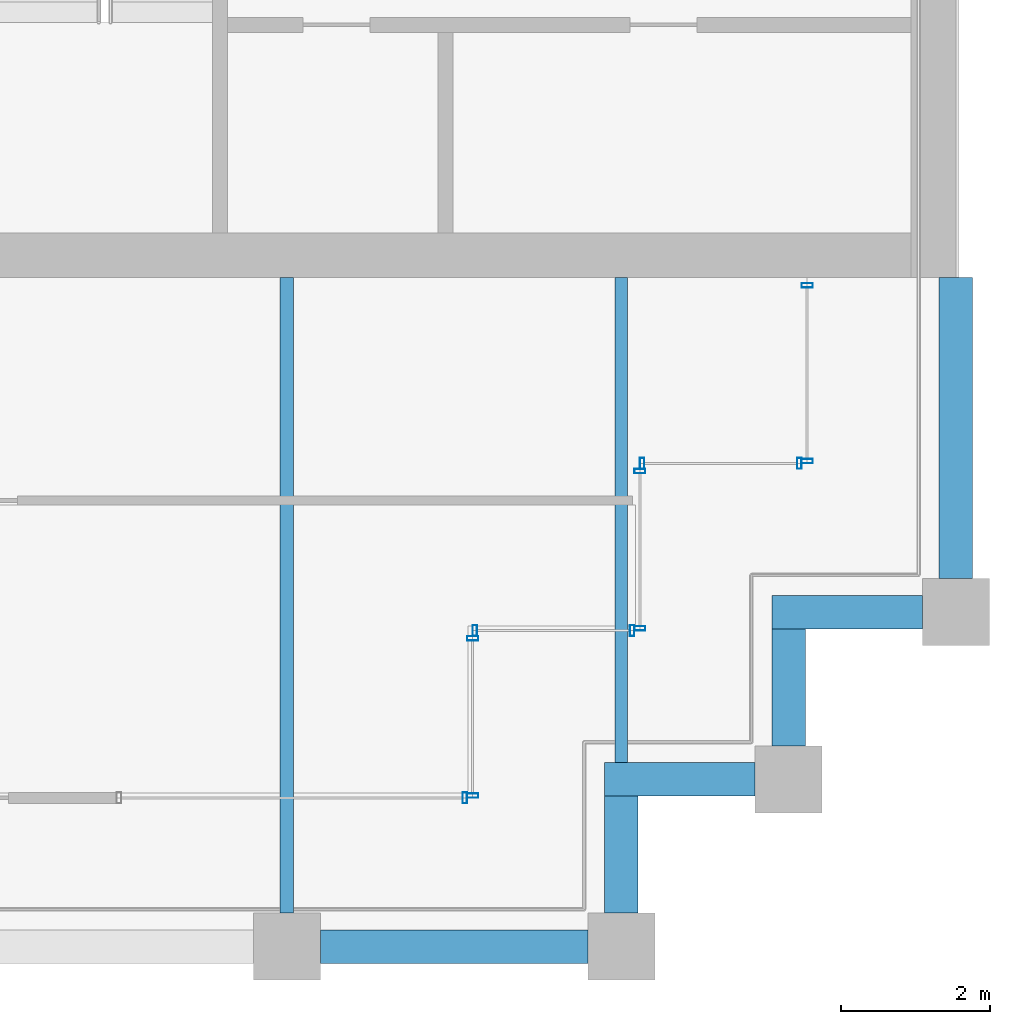
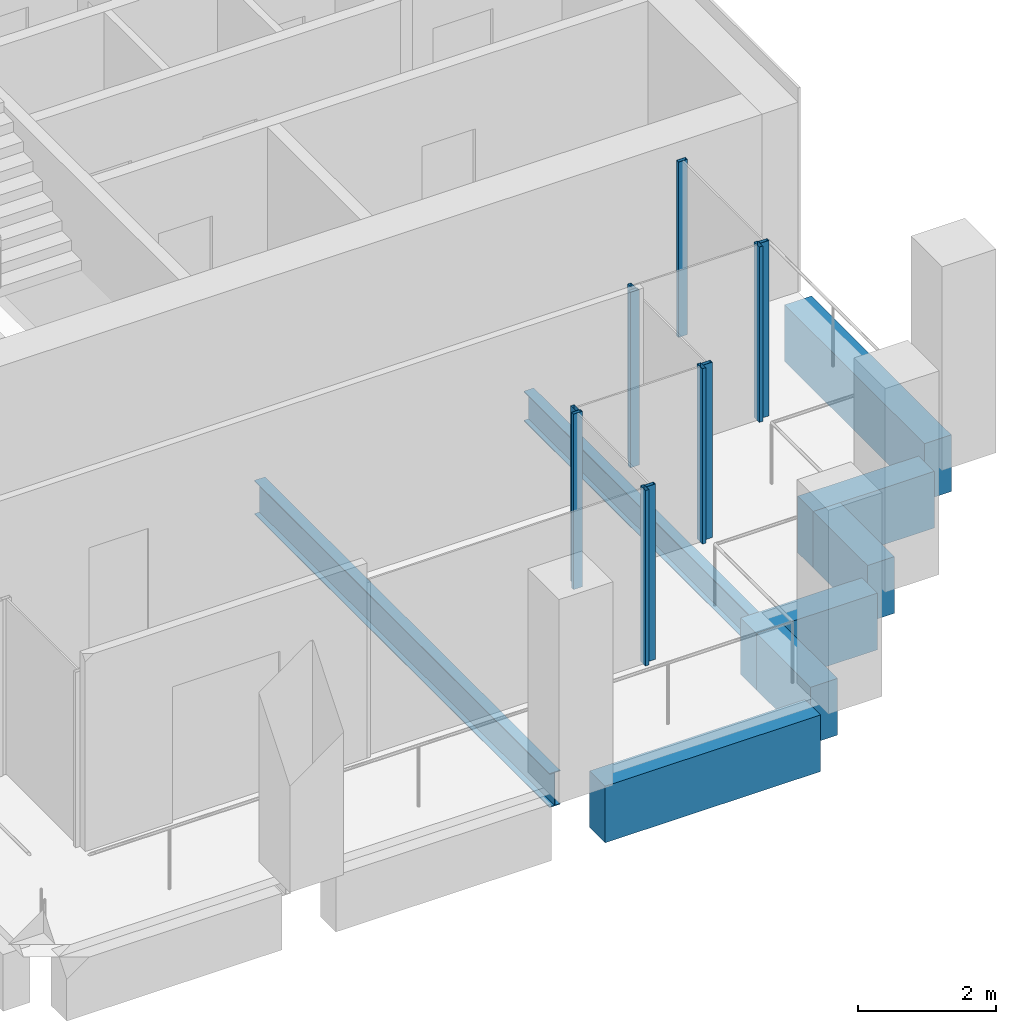
# One storey, part 31 of 40: 11 members, 8 beams, 6 elements without a shape of their own.
"""IFC4 building model written with IfcOpenShell, lengths in metres."""

from ifc_helpers import new_model, si_unit, direction, frame, origin, origin_2d, place, context, subcontext, project, spatial, rectangle, hollow_rectangle, i_section, extrude, material, material_profile, profile_set, type_object, element, aggregate, save


model = new_model("IFC4")

# Units and contexts
model_context = context("Model", 3, precision=1e-05, world=origin(), true_north=direction((0.0, 1.0)))
body_context = subcontext(model_context, "Body", "Model", "MODEL_VIEW")
ifc_project = project(units=[si_unit("LENGTHUNIT", "METRE"), si_unit("AREAUNIT", "SQUARE_METRE"), si_unit("VOLUMEUNIT", "CUBIC_METRE"), si_unit("PLANEANGLEUNIT", "RADIAN"), si_unit("MASSUNIT", "GRAM", prefix="KILO")], contexts=[model_context])

# Site, building, storey
site_placement = place(None, origin())
site = spatial("IfcSite", under=ifc_project, at=site_placement, CompositionType="ELEMENT")
building_placement = place(site_placement, origin())
building = spatial("IfcBuilding", under=site, at=building_placement, Name="Altepetl Exchange Towers", CompositionType="ELEMENT")
storey_placement = place(building_placement, frame((0.0, 0.0, 161.800048828125)))
storey = spatial("IfcBuildingStorey", under=building, at=storey_placement, Name="L40", CompositionType="ELEMENT", Elevation=161.800048828125)

# Beams
ifc_material_1 = material(Name="Steel S355", Category="steel")
ifc_material_profile_1 = material_profile(ifc_material_1, i_section(OverallWidth=0.166015625, OverallDepth=0.529052734375, WebThickness=0.009765625, FlangeThickness=0.013671875, at=origin_2d()), Name="W21X50")
ifc_profile_set_1 = profile_set([ifc_material_profile_1], Name="Steel S355")
beam_type_1 = type_object("IfcBeamType", Name="Floor beam W21X50", PredefinedType="BEAM", material=ifc_profile_set_1)
beam_1_placement = place(storey_placement, frame((112.5, 29.47509765625, -0.41455078125), z_axis=(0.0, 1.0, 0.0), x_axis=(-1.0, 0.0, 0.0)))
element("IfcBeam", 1, at=beam_1_placement, inside=storey, type_object=beam_type_1, Name="bm:B:L40:003", PredefinedType="BEAM", context=body_context, shape_type="SweptSolid", body=[
    extrude(i_section(OverallWidth=0.166015625, OverallDepth=0.529052734375, WebThickness=0.009765625, FlangeThickness=0.013671875, at=origin_2d()), origin(), (0.0, 0.0, 1.0), 6.52490234375),
])
ifc_material_profile_2 = material_profile(ifc_material_1, i_section(OverallWidth=0.177978515625, OverallDepth=0.59912109375, WebThickness=0.010009765625, FlangeThickness=0.0126953125, at=origin_2d()), Name="W24X55")
ifc_profile_set_2 = profile_set([ifc_material_profile_2], Name="Steel S355")
beam_type_2 = type_object("IfcBeamType", Name="Floor beam W24X55", PredefinedType="BEAM", material=ifc_profile_set_2)
beam_2_placement = place(storey_placement, frame((108.0, 27.449951171875, -0.449462890625), z_axis=(0.0, 1.0, 0.0), x_axis=(-1.0, 0.0, 0.0)))
element("IfcBeam", 2, at=beam_2_placement, inside=storey, type_object=beam_type_2, Name="bm:B:L40:002", PredefinedType="BEAM", context=body_context, shape_type="SweptSolid", body=[
    extrude(i_section(OverallWidth=0.177978515625, OverallDepth=0.59912109375, WebThickness=0.010009765625, FlangeThickness=0.0126953125, at=origin_2d()), origin(), (0.0, 0.0, 1.0), 8.550048828125),
])

# Curtain wall, member
ifc_material_2 = material(Name="Aluminium 6063-T6 glazing", Category="aluminium")
curtain_wall_type = type_object("IfcCurtainWallType", Name="Loggia glazing system", PredefinedType="NOTDEFINED", material=ifc_material_2)
curtain_wall_1_placement = place(storey_placement, origin())
curtain_wall_1 = element("IfcCurtainWall", 3, at=curtain_wall_1_placement, inside=storey, type_object=curtain_wall_type, Name="CW1 run", PredefinedType="NOTDEFINED")
ifc_material_3 = material(Name="Aluminium 6063-T6", Category="aluminium")
ifc_material_profile_3 = material_profile(ifc_material_3, hollow_rectangle(XDim=0.06005859375, YDim=0.14990234375, WallThickness=0.0029296875, at=origin_2d()), Name="Mullion 60x150 aluminium")
ifc_profile_set_3 = profile_set([ifc_material_profile_3], Name="Aluminium 6063-T6")
member_type = type_object("IfcMemberType", Name="Mullion 60x150 aluminium", PredefinedType="MULLION", material=ifc_profile_set_3)
member_1_placement = place(storey_placement, frame((110.39501953125, 29.0, 0.0)))
member_1 = element("IfcMember", 4, at=member_1_placement, type_object=member_type, Name="MU1 mullion", PredefinedType="MULLION", context=body_context, shape_type="SweptSolid", body=[
    extrude(hollow_rectangle(XDim=0.06005859375, YDim=0.14990234375, WallThickness=0.0029296875, at=origin_2d()), origin(), (0.0, 0.0, 1.0), 3.099853515625),
])
aggregate(curtain_wall_1, [member_1])

# Curtain wall, members
curtain_wall_2_placement = place(storey_placement, origin())
curtain_wall_2 = element("IfcCurtainWall", 5, at=curtain_wall_2_placement, inside=storey, type_object=curtain_wall_type, Name="CW1 run", PredefinedType="NOTDEFINED")
member_2_placement = place(storey_placement, frame((110.5, 29.030029296875, 0.0), z_axis=(0.0, 0.0, 1.0), x_axis=(0.0, 1.0, 0.0)))
member_2 = element("IfcMember", 6, at=member_2_placement, type_object=member_type, Name="MU1 mullion", PredefinedType="MULLION", context=body_context, shape_type="SweptSolid", body=[
    extrude(hollow_rectangle(XDim=0.06005859375, YDim=0.14990234375, WallThickness=0.0029296875, at=origin_2d()), origin(), (0.0, 0.0, 1.0), 3.099853515625),
])
member_3_placement = place(storey_placement, frame((110.5, 31.14501953125, 0.0), z_axis=(0.0, 0.0, 1.0), x_axis=(0.0, 1.0, 0.0)))
member_3 = element("IfcMember", 7, at=member_3_placement, type_object=member_type, Name="MU1 mullion", PredefinedType="MULLION", context=body_context, shape_type="SweptSolid", body=[
    extrude(hollow_rectangle(XDim=0.06005859375, YDim=0.14990234375, WallThickness=0.0029296875, at=origin_2d()), origin(), (0.0, 0.0, 1.0), 3.099853515625),
])
aggregate(curtain_wall_2, [member_2, member_3])

curtain_wall_3_placement = place(storey_placement, origin())
curtain_wall_3 = element("IfcCurtainWall", 8, at=curtain_wall_3_placement, inside=storey, type_object=curtain_wall_type, Name="CW1 run", PredefinedType="NOTDEFINED")
member_4_placement = place(storey_placement, frame((110.530029296875, 31.25, 0.0)))
member_4 = element("IfcMember", 9, at=member_4_placement, type_object=member_type, Name="MU1 mullion", PredefinedType="MULLION", context=body_context, shape_type="SweptSolid", body=[
    extrude(hollow_rectangle(XDim=0.06005859375, YDim=0.14990234375, WallThickness=0.0029296875, at=origin_2d()), origin(), (0.0, 0.0, 1.0), 3.099853515625),
])
member_5_placement = place(storey_placement, frame((112.64501953125, 31.25, 0.0)))
member_5 = element("IfcMember", 10, at=member_5_placement, type_object=member_type, Name="MU1 mullion", PredefinedType="MULLION", context=body_context, shape_type="SweptSolid", body=[
    extrude(hollow_rectangle(XDim=0.06005859375, YDim=0.14990234375, WallThickness=0.0029296875, at=origin_2d()), origin(), (0.0, 0.0, 1.0), 3.099853515625),
])
aggregate(curtain_wall_3, [member_4, member_5])

curtain_wall_4_placement = place(storey_placement, origin())
curtain_wall_4 = element("IfcCurtainWall", 11, at=curtain_wall_4_placement, inside=storey, type_object=curtain_wall_type, Name="CW1 run", PredefinedType="NOTDEFINED")
member_6_placement = place(storey_placement, frame((112.75, 31.280029296875, 0.0), z_axis=(0.0, 0.0, 1.0), x_axis=(0.0, 1.0, 0.0)))
member_6 = element("IfcMember", 12, at=member_6_placement, type_object=member_type, Name="MU1 mullion", PredefinedType="MULLION", context=body_context, shape_type="SweptSolid", body=[
    extrude(hollow_rectangle(XDim=0.06005859375, YDim=0.14990234375, WallThickness=0.0029296875, at=origin_2d()), origin(), (0.0, 0.0, 1.0), 3.099853515625),
])
member_7_placement = place(storey_placement, frame((112.75, 33.39501953125, 0.0), z_axis=(0.0, 0.0, 1.0), x_axis=(0.0, 1.0, 0.0)))
member_7 = element("IfcMember", 13, at=member_7_placement, type_object=member_type, Name="MU1 mullion", PredefinedType="MULLION", context=body_context, shape_type="SweptSolid", body=[
    extrude(hollow_rectangle(XDim=0.06005859375, YDim=0.14990234375, WallThickness=0.0029296875, at=origin_2d()), origin(), (0.0, 0.0, 1.0), 3.099853515625),
])
aggregate(curtain_wall_4, [member_6, member_7])

curtain_wall_5_placement = place(storey_placement, origin())
curtain_wall_5 = element("IfcCurtainWall", 14, at=curtain_wall_5_placement, inside=storey, type_object=curtain_wall_type, Name="CW1 run", PredefinedType="NOTDEFINED")
member_8_placement = place(storey_placement, frame((112.780029296875, 33.5, 0.0)))
member_8 = element("IfcMember", 15, at=member_8_placement, type_object=member_type, Name="MU1 mullion", PredefinedType="MULLION", context=body_context, shape_type="SweptSolid", body=[
    extrude(hollow_rectangle(XDim=0.06005859375, YDim=0.14990234375, WallThickness=0.0029296875, at=origin_2d()), origin(), (0.0, 0.0, 1.0), 3.099853515625),
])
member_9_placement = place(storey_placement, frame((114.89501953125, 33.5, 0.0)))
member_9 = element("IfcMember", 16, at=member_9_placement, type_object=member_type, Name="MU1 mullion", PredefinedType="MULLION", context=body_context, shape_type="SweptSolid", body=[
    extrude(hollow_rectangle(XDim=0.06005859375, YDim=0.14990234375, WallThickness=0.0029296875, at=origin_2d()), origin(), (0.0, 0.0, 1.0), 3.099853515625),
])
aggregate(curtain_wall_5, [member_8, member_9])

curtain_wall_6_placement = place(storey_placement, origin())
curtain_wall_6 = element("IfcCurtainWall", 17, at=curtain_wall_6_placement, inside=storey, type_object=curtain_wall_type, Name="CW1 run", PredefinedType="NOTDEFINED")
member_10_placement = place(storey_placement, frame((115.0, 33.530029296875, 0.0), z_axis=(0.0, 0.0, 1.0), x_axis=(0.0, 1.0, 0.0)))
member_10 = element("IfcMember", 18, at=member_10_placement, type_object=member_type, Name="MU1 mullion", PredefinedType="MULLION", context=body_context, shape_type="SweptSolid", body=[
    extrude(hollow_rectangle(XDim=0.06005859375, YDim=0.14990234375, WallThickness=0.0029296875, at=origin_2d()), origin(), (0.0, 0.0, 1.0), 3.099853515625),
])
member_11_placement = place(storey_placement, frame((115.0, 35.89501953125, 0.0), z_axis=(0.0, 0.0, 1.0), x_axis=(0.0, 1.0, 0.0)))
member_11 = element("IfcMember", 19, at=member_11_placement, type_object=member_type, Name="MU1 mullion", PredefinedType="MULLION", context=body_context, shape_type="SweptSolid", body=[
    extrude(hollow_rectangle(XDim=0.06005859375, YDim=0.14990234375, WallThickness=0.0029296875, at=origin_2d()), origin(), (0.0, 0.0, 1.0), 3.099853515625),
])
aggregate(curtain_wall_6, [member_10, member_11])

# Beams
ifc_material_4 = material(Name="Concrete C50/60 precast with cantera blanca facing", Category="concrete")
ifc_material_profile_4 = material_profile(ifc_material_4, rectangle(XDim=0.449951171875, YDim=1.0, at=origin_2d()), Name="450 x 1000")
ifc_profile_set_4 = profile_set([ifc_material_profile_4], Name="Concrete C50/60 precast with cantera blanca facing")
beam_type_3 = type_object("IfcBeamType", Name="Spandrel beam 450x1000 cantera blanca", PredefinedType="SPANDREL", material=ifc_profile_set_4)
beam_3_placement = place(storey_placement, frame((117.0, 31.949951171875, -0.650146484375), z_axis=(0.0, 1.0, 0.0), x_axis=(-1.0, 0.0, 0.0)))
element("IfcBeam", 20, at=beam_3_placement, inside=storey, type_object=beam_type_3, Name="sp:B:L40:007", PredefinedType="SPANDREL", context=body_context, shape_type="SweptSolid", body=[
    extrude(rectangle(XDim=0.449951171875, YDim=1.0, at=origin_2d()), origin(), (0.0, 0.0, 1.0), 4.050048828125),
])
ifc_material_5 = material(Name="Concrete C50/60 precast with tezontle facing", Category="concrete")
ifc_material_profile_5 = material_profile(ifc_material_5, rectangle(XDim=0.449951171875, YDim=1.0, at=origin_2d()), Name="450 x 1000")
ifc_profile_set_5 = profile_set([ifc_material_profile_5], Name="Concrete C50/60 precast with tezontle facing")
beam_type_4 = type_object("IfcBeamType", Name="Spandrel beam 450x1000 tezontle", PredefinedType="SPANDREL", material=ifc_profile_set_5)
beam_4_placement = place(storey_placement, frame((108.449951171875, 27.0, -0.650146484375), z_axis=(1.0, 0.0, 0.0), x_axis=(0.0, 1.0, 0.0)))
element("IfcBeam", 21, at=beam_4_placement, inside=storey, type_object=beam_type_4, Name="sp:B:L40:002", PredefinedType="SPANDREL", context=body_context, shape_type="SweptSolid", body=[
    extrude(rectangle(XDim=0.449951171875, YDim=1.0, at=origin_2d()), origin(), (0.0, 0.0, 1.0), 3.60009765625),
])
beam_5_placement = place(storey_placement, frame((112.5, 27.449951171875, -0.650146484375), z_axis=(0.0, 1.0, 0.0), x_axis=(-1.0, 0.0, 0.0)))
element("IfcBeam", 22, at=beam_5_placement, inside=storey, type_object=beam_type_4, Name="sp:B:L40:003", PredefinedType="SPANDREL", context=body_context, shape_type="SweptSolid", body=[
    extrude(rectangle(XDim=0.449951171875, YDim=1.0, at=origin_2d()), origin(), (0.0, 0.0, 1.0), 1.574951171875),
])
beam_6_placement = place(storey_placement, frame((112.27490234375, 29.25, -0.650146484375), z_axis=(1.0, 0.0, 0.0), x_axis=(0.0, 1.0, 0.0)))
element("IfcBeam", 23, at=beam_6_placement, inside=storey, type_object=beam_type_4, Name="sp:B:L40:004", PredefinedType="SPANDREL", context=body_context, shape_type="SweptSolid", body=[
    extrude(rectangle(XDim=0.449951171875, YDim=1.0, at=origin_2d()), origin(), (0.0, 0.0, 1.0), 2.025146484375),
])
beam_7_placement = place(storey_placement, frame((114.75, 29.699951171875, -0.650146484375), z_axis=(0.0, 1.0, 0.0), x_axis=(-1.0, 0.0, 0.0)))
element("IfcBeam", 24, at=beam_7_placement, inside=storey, type_object=beam_type_4, Name="sp:B:L40:005", PredefinedType="SPANDREL", context=body_context, shape_type="SweptSolid", body=[
    extrude(rectangle(XDim=0.449951171875, YDim=1.0, at=origin_2d()), origin(), (0.0, 0.0, 1.0), 1.574951171875),
])
beam_8_placement = place(storey_placement, frame((114.52490234375, 31.5, -0.650146484375), z_axis=(1.0, 0.0, 0.0), x_axis=(0.0, 1.0, 0.0)))
element("IfcBeam", 25, at=beam_8_placement, inside=storey, type_object=beam_type_4, Name="sp:B:L40:006", PredefinedType="SPANDREL", context=body_context, shape_type="SweptSolid", body=[
    extrude(rectangle(XDim=0.449951171875, YDim=1.0, at=origin_2d()), origin(), (0.0, 0.0, 1.0), 2.025146484375),
])

save(model, "model.ifc")
